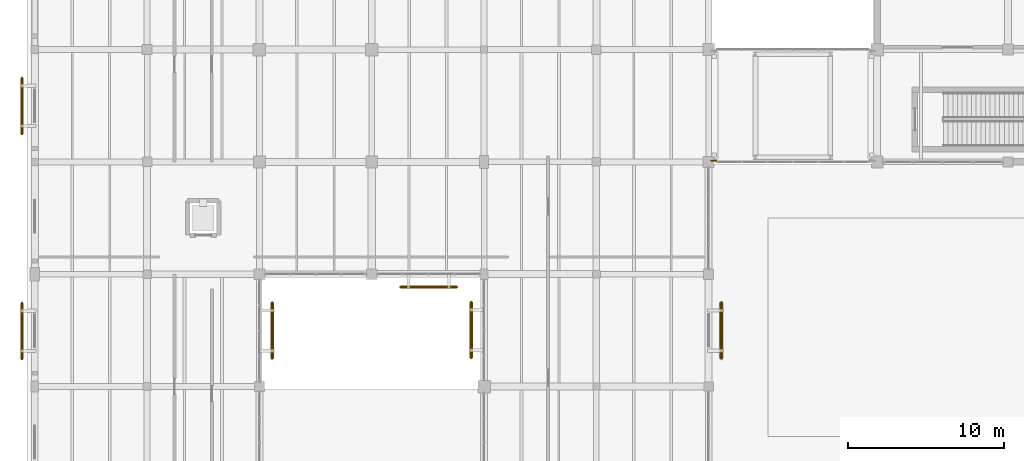
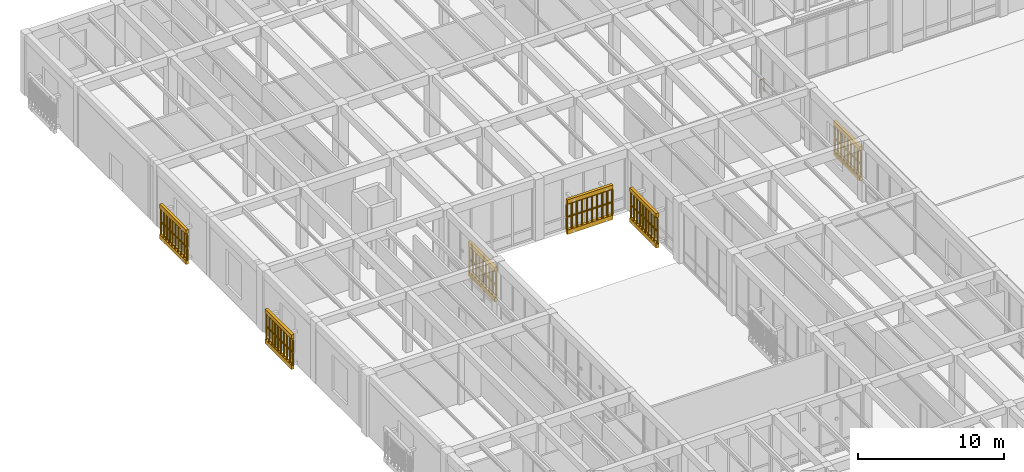
# One storey, part 153 of 169: 13 railings, 12 coverings.
"""IFC4 building model written with IfcOpenShell, lengths in metres."""

from ifc_helpers import new_model, si_unit, direction, frame, origin, origin_2d, place, context, subcontext, project, spatial, polyline, circle, outline, extrude, material, layer, layer_set, type_object, element, save


model = new_model("IFC4")

# Units and contexts
model_context = context("Model", 3, precision=1e-05, world=origin(), true_north=direction((0.0, 1.0)))
body_context = subcontext(model_context, "Body", "Model", "MODEL_VIEW")
ifc_project = project(units=[si_unit("LENGTHUNIT", "METRE"), si_unit("AREAUNIT", "SQUARE_METRE"), si_unit("VOLUMEUNIT", "CUBIC_METRE"), si_unit("PLANEANGLEUNIT", "RADIAN"), si_unit("MASSUNIT", "GRAM", prefix="KILO")], contexts=[model_context])

# Site, building, storey
site_placement = place(None, origin())
site = spatial("IfcSite", under=ifc_project, at=site_placement, CompositionType="ELEMENT")
building_placement = place(site_placement, origin())
building = spatial("IfcBuilding", under=site, at=building_placement, Name="Mazaris Harbour Polytechnic", CompositionType="ELEMENT")
storey_placement = place(building_placement, origin())
storey = spatial("IfcBuildingStorey", under=building, at=storey_placement, Name="L00", CompositionType="ELEMENT", Elevation=0.0)

# Railings
ifc_material_1 = material(Name="Steel S355", Category="steel")
railing_type_1 = type_object("IfcRailingType", Name="Mezzanine Steel Guardrail 1100 Exterior", PredefinedType="GUARDRAIL", material=ifc_material_1)
railing_placement = place(storey_placement, frame((43.35009765625, 75.679931640625, 0.0)))
element("IfcRailing", 1, at=railing_placement, inside=storey, type_object=railing_type_1, Name="PB-W2 L00 Bridge End Guard W0", PredefinedType="GUARDRAIL", context=body_context, shape_type="SweptSolid", body=[
    extrude(circle(Radius=0.02392578125, at=origin_2d()), frame((0.0, 0.0, 1.09619140625), z_axis=(1.0, 0.0, 0.0), x_axis=(0.0, 1.0, 0.0)), (0.0, 0.0, 1.0), 0.349853515625),
    extrude(circle(Radius=0.02099609375, at=origin_2d()), origin(), (0.0, 0.0, 1.0), 1.072021484375),
    extrude(circle(Radius=0.02099609375, at=origin_2d()), frame((0.349853515625, 0.0, 0.0)), (0.0, 0.0, 1.0), 1.072021484375),
])
ifc_material_2 = material(Name="Perforated Earth-Coloured Terracotta Block", Category="masonry")
railing_type_2 = type_object("IfcRailingType", Name="Perforated Earth-Block Claustra Lattice 1040", PredefinedType="BALUSTRADE", material=ifc_material_2)
for number, where, name in (
    (2, (-0.820068359375, 62.96240234375, 0.52001953125), "V4 L00 Lower Perforated Terracotta Block Screen 142"),
    (3, (-0.820068359375, 62.96240234375, 1.610107421875), "V4 L00 Upper Perforated Terracotta Block Screen 142"),
    (4, (-0.820068359375, 77.387451171875, 0.52001953125), "V4 L00 Lower Perforated Terracotta Block Screen 143"),
    (5, (-0.820068359375, 77.387451171875, 1.610107421875), "V4 L00 Upper Perforated Terracotta Block Screen 143"),
):
    element("IfcRailing", number, at=place(storey_placement, frame(where)), inside=storey, type_object=railing_type_2, Name=name, PredefinedType="BALUSTRADE", context=body_context, shape_type="SweptSolid", body=[
        extrude(circle(Radius=0.06982421875, at=origin_2d()), frame((0.0, 0.0, 1.02001953125), z_axis=(0.0, 1.0, 0.0), x_axis=(-1.0, 0.0, 0.0)), (0.0, 0.0, 1.0), 3.60009765625),
        extrude(circle(Radius=0.074951171875, at=origin_2d()), origin(), (0.0, 0.0, 1.0), 0.9501953125),
        extrude(circle(Radius=0.074951171875, at=origin_2d()), frame((0.0, 0.39990234375, 0.0)), (0.0, 0.0, 1.0), 0.9501953125),
        extrude(circle(Radius=0.074951171875, at=origin_2d()), frame((0.0, 0.800048828125, 0.0)), (0.0, 0.0, 1.0), 0.9501953125),
        extrude(circle(Radius=0.074951171875, at=origin_2d()), frame((0.0, 1.199951171875, 0.0)), (0.0, 0.0, 1.0), 0.9501953125),
        extrude(circle(Radius=0.074951171875, at=origin_2d()), frame((0.0, 1.60009765625, 0.0)), (0.0, 0.0, 1.0), 0.9501953125),
        extrude(circle(Radius=0.074951171875, at=origin_2d()), frame((0.0, 2.0, 0.0)), (0.0, 0.0, 1.0), 0.9501953125),
        extrude(circle(Radius=0.074951171875, at=origin_2d()), frame((0.0, 2.400146484375, 0.0)), (0.0, 0.0, 1.0), 0.9501953125),
        extrude(circle(Radius=0.074951171875, at=origin_2d()), frame((0.0, 2.800048828125, 0.0)), (0.0, 0.0, 1.0), 0.9501953125),
        extrude(circle(Radius=0.074951171875, at=origin_2d()), frame((0.0, 3.2001953125, 0.0)), (0.0, 0.0, 1.0), 0.9501953125),
        extrude(circle(Radius=0.074951171875, at=origin_2d()), frame((0.0, 3.60009765625, 0.0)), (0.0, 0.0, 1.0), 0.9501953125),
    ])
for number, where, name in (
    (6, (44.02001953125, 66.58740234375, 0.52001953125), "V4 L00 Lower Perforated Terracotta Block Screen 147"),
    (7, (44.02001953125, 66.58740234375, 1.610107421875), "V4 L00 Upper Perforated Terracotta Block Screen 147"),
):
    element("IfcRailing", number, at=place(storey_placement, frame(where)), inside=storey, type_object=railing_type_2, Name=name, PredefinedType="BALUSTRADE", context=body_context, shape_type="SweptSolid", body=[
        extrude(circle(Radius=0.06982421875, at=origin_2d()), frame((0.0, 0.0, 1.02001953125), z_axis=(0.0, -1.0, 0.0), x_axis=(1.0, 0.0, 0.0)), (0.0, 0.0, 1.0), 3.599853515625),
        extrude(circle(Radius=0.074951171875, at=origin_2d()), origin(), (0.0, 0.0, 1.0), 0.9501953125),
        extrude(circle(Radius=0.074951171875, at=origin_2d()), frame((0.0, -0.449951171875, 0.0)), (0.0, 0.0, 1.0), 0.9501953125),
        extrude(circle(Radius=0.074951171875, at=origin_2d()), frame((0.0, -0.89990234375, 0.0)), (0.0, 0.0, 1.0), 0.9501953125),
        extrude(circle(Radius=0.074951171875, at=origin_2d()), frame((0.0, -1.349853515625, 0.0)), (0.0, 0.0, 1.0), 0.9501953125),
        extrude(circle(Radius=0.074951171875, at=origin_2d()), frame((0.0, -1.7998046875, 0.0)), (0.0, 0.0, 1.0), 0.9501953125),
        extrude(circle(Radius=0.074951171875, at=origin_2d()), frame((0.0, -2.25, 0.0)), (0.0, 0.0, 1.0), 0.9501953125),
        extrude(circle(Radius=0.074951171875, at=origin_2d()), frame((0.0, -2.699951171875, 0.0)), (0.0, 0.0, 1.0), 0.9501953125),
        extrude(circle(Radius=0.074951171875, at=origin_2d()), frame((0.0, -3.14990234375, 0.0)), (0.0, 0.0, 1.0), 0.9501953125),
        extrude(circle(Radius=0.074951171875, at=origin_2d()), frame((0.0, -3.599853515625, 0.0)), (0.0, 0.0, 1.0), 0.9501953125),
    ])
for number, where, name in (
    (8, (27.050048828125, 67.580078125, 0.52001953125), "V4 L00 Lower Perforated Terracotta Block Screen 150"),
    (9, (27.050048828125, 67.580078125, 1.610107421875), "V4 L00 Upper Perforated Terracotta Block Screen 150"),
):
    element("IfcRailing", number, at=place(storey_placement, frame(where)), inside=storey, type_object=railing_type_2, Name=name, PredefinedType="BALUSTRADE", context=body_context, shape_type="SweptSolid", body=[
        extrude(circle(Radius=0.06982421875, at=origin_2d()), frame((0.0, 0.0, 1.02001953125), z_axis=(-1.0, 0.0, 0.0), x_axis=(0.0, -1.0, 0.0)), (0.0, 0.0, 1.0), 3.60009765625),
        extrude(circle(Radius=0.074951171875, at=origin_2d()), origin(), (0.0, 0.0, 1.0), 0.9501953125),
        extrude(circle(Radius=0.074951171875, at=origin_2d()), frame((-0.39990234375, 0.0, 0.0)), (0.0, 0.0, 1.0), 0.9501953125),
        extrude(circle(Radius=0.074951171875, at=origin_2d()), frame((-0.800048828125, 0.0, 0.0)), (0.0, 0.0, 1.0), 0.9501953125),
        extrude(circle(Radius=0.074951171875, at=origin_2d()), frame((-1.199951171875, 0.0, 0.0)), (0.0, 0.0, 1.0), 0.9501953125),
        extrude(circle(Radius=0.074951171875, at=origin_2d()), frame((-1.60009765625, 0.0, 0.0)), (0.0, 0.0, 1.0), 0.9501953125),
        extrude(circle(Radius=0.074951171875, at=origin_2d()), frame((-2.0, 0.0, 0.0)), (0.0, 0.0, 1.0), 0.9501953125),
        extrude(circle(Radius=0.074951171875, at=origin_2d()), frame((-2.400146484375, 0.0, 0.0)), (0.0, 0.0, 1.0), 0.9501953125),
        extrude(circle(Radius=0.074951171875, at=origin_2d()), frame((-2.800048828125, 0.0, 0.0)), (0.0, 0.0, 1.0), 0.9501953125),
        extrude(circle(Radius=0.074951171875, at=origin_2d()), frame((-3.2001953125, 0.0, 0.0)), (0.0, 0.0, 1.0), 0.9501953125),
        extrude(circle(Radius=0.074951171875, at=origin_2d()), frame((-3.60009765625, 0.0, 0.0)), (0.0, 0.0, 1.0), 0.9501953125),
    ])
for number, where, name in (
    (10, (15.219970703125, 62.987548828125, 0.52001953125), "V4 L00 Lower Perforated Terracotta Block Screen 152"),
    (11, (15.219970703125, 62.987548828125, 1.610107421875), "V4 L00 Upper Perforated Terracotta Block Screen 152"),
):
    element("IfcRailing", number, at=place(storey_placement, frame(where)), inside=storey, type_object=railing_type_2, Name=name, PredefinedType="BALUSTRADE", context=body_context, shape_type="SweptSolid", body=[
        extrude(circle(Radius=0.06982421875, at=origin_2d()), frame((0.0, 0.0, 1.02001953125), z_axis=(0.0, 1.0, 0.0), x_axis=(-1.0, 0.0, 0.0)), (0.0, 0.0, 1.0), 3.599853515625),
        extrude(circle(Radius=0.074951171875, at=origin_2d()), origin(), (0.0, 0.0, 1.0), 0.9501953125),
        extrude(circle(Radius=0.074951171875, at=origin_2d()), frame((0.0, 0.449951171875, 0.0)), (0.0, 0.0, 1.0), 0.9501953125),
        extrude(circle(Radius=0.074951171875, at=origin_2d()), frame((0.0, 0.89990234375, 0.0)), (0.0, 0.0, 1.0), 0.9501953125),
        extrude(circle(Radius=0.074951171875, at=origin_2d()), frame((0.0, 1.349853515625, 0.0)), (0.0, 0.0, 1.0), 0.9501953125),
        extrude(circle(Radius=0.074951171875, at=origin_2d()), frame((0.0, 1.7998046875, 0.0)), (0.0, 0.0, 1.0), 0.9501953125),
        extrude(circle(Radius=0.074951171875, at=origin_2d()), frame((0.0, 2.25, 0.0)), (0.0, 0.0, 1.0), 0.9501953125),
        extrude(circle(Radius=0.074951171875, at=origin_2d()), frame((0.0, 2.699951171875, 0.0)), (0.0, 0.0, 1.0), 0.9501953125),
        extrude(circle(Radius=0.074951171875, at=origin_2d()), frame((0.0, 3.14990234375, 0.0)), (0.0, 0.0, 1.0), 0.9501953125),
        extrude(circle(Radius=0.074951171875, at=origin_2d()), frame((0.0, 3.599853515625, 0.0)), (0.0, 0.0, 1.0), 0.9501953125),
    ])
for number, where, name in (
    (12, (27.97998046875, 66.625, 0.52001953125), "V4 L00 Lower Perforated Terracotta Block Screen 154"),
    (13, (27.97998046875, 66.625, 1.610107421875), "V4 L00 Upper Perforated Terracotta Block Screen 154"),
):
    element("IfcRailing", number, at=place(storey_placement, frame(where)), inside=storey, type_object=railing_type_2, Name=name, PredefinedType="BALUSTRADE", context=body_context, shape_type="SweptSolid", body=[
        extrude(circle(Radius=0.06982421875, at=origin_2d()), frame((0.0, 0.0, 1.02001953125), z_axis=(0.0, -1.0, 0.0), x_axis=(1.0, 0.0, 0.0)), (0.0, 0.0, 1.0), 3.60009765625),
        extrude(circle(Radius=0.074951171875, at=origin_2d()), origin(), (0.0, 0.0, 1.0), 0.9501953125),
        extrude(circle(Radius=0.074951171875, at=origin_2d()), frame((0.0, -0.39990234375, 0.0)), (0.0, 0.0, 1.0), 0.9501953125),
        extrude(circle(Radius=0.074951171875, at=origin_2d()), frame((0.0, -0.800048828125, 0.0)), (0.0, 0.0, 1.0), 0.9501953125),
        extrude(circle(Radius=0.074951171875, at=origin_2d()), frame((0.0, -1.199951171875, 0.0)), (0.0, 0.0, 1.0), 0.9501953125),
        extrude(circle(Radius=0.074951171875, at=origin_2d()), frame((0.0, -1.60009765625, 0.0)), (0.0, 0.0, 1.0), 0.9501953125),
        extrude(circle(Radius=0.074951171875, at=origin_2d()), frame((0.0, -2.0, 0.0)), (0.0, 0.0, 1.0), 0.9501953125),
        extrude(circle(Radius=0.074951171875, at=origin_2d()), frame((0.0, -2.400146484375, 0.0)), (0.0, 0.0, 1.0), 0.9501953125),
        extrude(circle(Radius=0.074951171875, at=origin_2d()), frame((0.0, -2.800048828125, 0.0)), (0.0, 0.0, 1.0), 0.9501953125),
        extrude(circle(Radius=0.074951171875, at=origin_2d()), frame((0.0, -3.2001953125, 0.0)), (0.0, 0.0, 1.0), 0.9501953125),
        extrude(circle(Radius=0.074951171875, at=origin_2d()), frame((0.0, -3.60009765625, 0.0)), (0.0, 0.0, 1.0), 0.9501953125),
    ])

# Coverings
ifc_material_3 = material(Name="Perforated Earth-Coloured Terracotta Block", Category="masonry")
ifc_layer = layer(ifc_material_3, 0.219970703125, Name="Perforated Earth-Coloured Terracotta Block")
ifc_layer_set = layer_set([ifc_layer], Name="Perforated Earth-Coloured Terracotta Block")
covering_type = type_object("IfcCoveringType", Name="Terracotta Screen Course Cladding 220", PredefinedType="CLADDING", material=ifc_layer_set)
covering_1_placement = place(storey_placement, frame((0.0, 0.0, 0.159912109375)))
element("IfcCovering", 14, at=covering_1_placement, inside=storey, type_object=covering_type, Name="V4 L00 Perforated Screen Sill Course 142", PredefinedType="CLADDING", context=body_context, shape_type="SweptSolid", body=[
    extrude(outline(polyline([(-0.7099609375, 62.96240234375), (-0.7099609375, 66.5625), (-0.929931640625, 66.5625), (-0.929931640625, 62.96240234375), (-0.7099609375, 62.96240234375)])), origin(), (0.0, 0.0, 1.0), 0.360107421875),
])
covering_2_placement = place(storey_placement, frame((0.0, 0.0, 2.699951171875)))
element("IfcCovering", 15, at=covering_2_placement, inside=storey, type_object=covering_type, Name="V4 L00 Perforated Screen Lintel Course 142", PredefinedType="CLADDING", context=body_context, shape_type="SweptSolid", body=[
    extrude(outline(polyline([(-0.7099609375, 62.96240234375), (-0.7099609375, 66.5625), (-0.929931640625, 66.5625), (-0.929931640625, 62.96240234375), (-0.7099609375, 62.96240234375)])), origin(), (0.0, 0.0, 1.0), 0.340087890625),
])
covering_3_placement = place(storey_placement, frame((0.0, 0.0, 0.159912109375)))
element("IfcCovering", 16, at=covering_3_placement, inside=storey, type_object=covering_type, Name="V4 L00 Perforated Screen Sill Course 143", PredefinedType="CLADDING", context=body_context, shape_type="SweptSolid", body=[
    extrude(outline(polyline([(-0.7099609375, 77.387451171875), (-0.7099609375, 80.987548828125), (-0.929931640625, 80.987548828125), (-0.929931640625, 77.387451171875), (-0.7099609375, 77.387451171875)])), origin(), (0.0, 0.0, 1.0), 0.360107421875),
])
covering_4_placement = place(storey_placement, frame((0.0, 0.0, 2.699951171875)))
element("IfcCovering", 17, at=covering_4_placement, inside=storey, type_object=covering_type, Name="V4 L00 Perforated Screen Lintel Course 143", PredefinedType="CLADDING", context=body_context, shape_type="SweptSolid", body=[
    extrude(outline(polyline([(-0.7099609375, 77.387451171875), (-0.7099609375, 80.987548828125), (-0.929931640625, 80.987548828125), (-0.929931640625, 77.387451171875), (-0.7099609375, 77.387451171875)])), origin(), (0.0, 0.0, 1.0), 0.340087890625),
])
covering_5_placement = place(storey_placement, frame((0.0, 0.0, 0.159912109375)))
element("IfcCovering", 18, at=covering_5_placement, inside=storey, type_object=covering_type, Name="V4 L00 Perforated Screen Sill Course 147", PredefinedType="CLADDING", context=body_context, shape_type="SweptSolid", body=[
    extrude(outline(polyline([(43.909912109375, 66.58740234375), (43.909912109375, 62.987548828125), (44.1298828125, 62.987548828125), (44.1298828125, 66.58740234375), (43.909912109375, 66.58740234375)])), origin(), (0.0, 0.0, 1.0), 0.360107421875),
])
covering_6_placement = place(storey_placement, frame((0.0, 0.0, 2.699951171875)))
element("IfcCovering", 19, at=covering_6_placement, inside=storey, type_object=covering_type, Name="V4 L00 Perforated Screen Lintel Course 147", PredefinedType="CLADDING", context=body_context, shape_type="SweptSolid", body=[
    extrude(outline(polyline([(43.909912109375, 66.58740234375), (43.909912109375, 62.987548828125), (44.1298828125, 62.987548828125), (44.1298828125, 66.58740234375), (43.909912109375, 66.58740234375)])), origin(), (0.0, 0.0, 1.0), 0.340087890625),
])
covering_7_placement = place(storey_placement, frame((0.0, 0.0, 0.159912109375)))
element("IfcCovering", 20, at=covering_7_placement, inside=storey, type_object=covering_type, Name="V4 L00 Perforated Screen Sill Course 150", PredefinedType="CLADDING", context=body_context, shape_type="SweptSolid", body=[
    extrude(outline(polyline([(27.050048828125, 67.68994140625), (23.449951171875, 67.68994140625), (23.449951171875, 67.469970703125), (27.050048828125, 67.469970703125), (27.050048828125, 67.68994140625)])), origin(), (0.0, 0.0, 1.0), 0.360107421875),
])
covering_8_placement = place(storey_placement, frame((0.0, 0.0, 2.699951171875)))
element("IfcCovering", 21, at=covering_8_placement, inside=storey, type_object=covering_type, Name="V4 L00 Perforated Screen Lintel Course 150", PredefinedType="CLADDING", context=body_context, shape_type="SweptSolid", body=[
    extrude(outline(polyline([(27.050048828125, 67.68994140625), (23.449951171875, 67.68994140625), (23.449951171875, 67.469970703125), (27.050048828125, 67.469970703125), (27.050048828125, 67.68994140625)])), origin(), (0.0, 0.0, 1.0), 0.340087890625),
])
covering_9_placement = place(storey_placement, frame((0.0, 0.0, 0.159912109375)))
element("IfcCovering", 22, at=covering_9_placement, inside=storey, type_object=covering_type, Name="V4 L00 Perforated Screen Sill Course 152", PredefinedType="CLADDING", context=body_context, shape_type="SweptSolid", body=[
    extrude(outline(polyline([(15.110107421875, 62.987548828125), (15.110107421875, 66.58740234375), (15.330078125, 66.58740234375), (15.330078125, 62.987548828125), (15.110107421875, 62.987548828125)])), origin(), (0.0, 0.0, 1.0), 0.360107421875),
])
covering_10_placement = place(storey_placement, frame((0.0, 0.0, 2.699951171875)))
element("IfcCovering", 23, at=covering_10_placement, inside=storey, type_object=covering_type, Name="V4 L00 Perforated Screen Lintel Course 152", PredefinedType="CLADDING", context=body_context, shape_type="SweptSolid", body=[
    extrude(outline(polyline([(15.110107421875, 62.987548828125), (15.110107421875, 66.58740234375), (15.330078125, 66.58740234375), (15.330078125, 62.987548828125), (15.110107421875, 62.987548828125)])), origin(), (0.0, 0.0, 1.0), 0.340087890625),
])
covering_11_placement = place(storey_placement, frame((0.0, 0.0, 0.159912109375)))
element("IfcCovering", 24, at=covering_11_placement, inside=storey, type_object=covering_type, Name="V4 L00 Perforated Screen Sill Course 154", PredefinedType="CLADDING", context=body_context, shape_type="SweptSolid", body=[
    extrude(outline(polyline([(28.090087890625, 66.625), (28.090087890625, 63.02490234375), (27.8701171875, 63.02490234375), (27.8701171875, 66.625), (28.090087890625, 66.625)])), origin(), (0.0, 0.0, 1.0), 0.360107421875),
])
covering_12_placement = place(storey_placement, frame((0.0, 0.0, 2.699951171875)))
element("IfcCovering", 25, at=covering_12_placement, inside=storey, type_object=covering_type, Name="V4 L00 Perforated Screen Lintel Course 154", PredefinedType="CLADDING", context=body_context, shape_type="SweptSolid", body=[
    extrude(outline(polyline([(28.090087890625, 66.625), (28.090087890625, 63.02490234375), (27.8701171875, 63.02490234375), (27.8701171875, 66.625), (28.090087890625, 66.625)])), origin(), (0.0, 0.0, 1.0), 0.340087890625),
])

save(model, "model.ifc")
